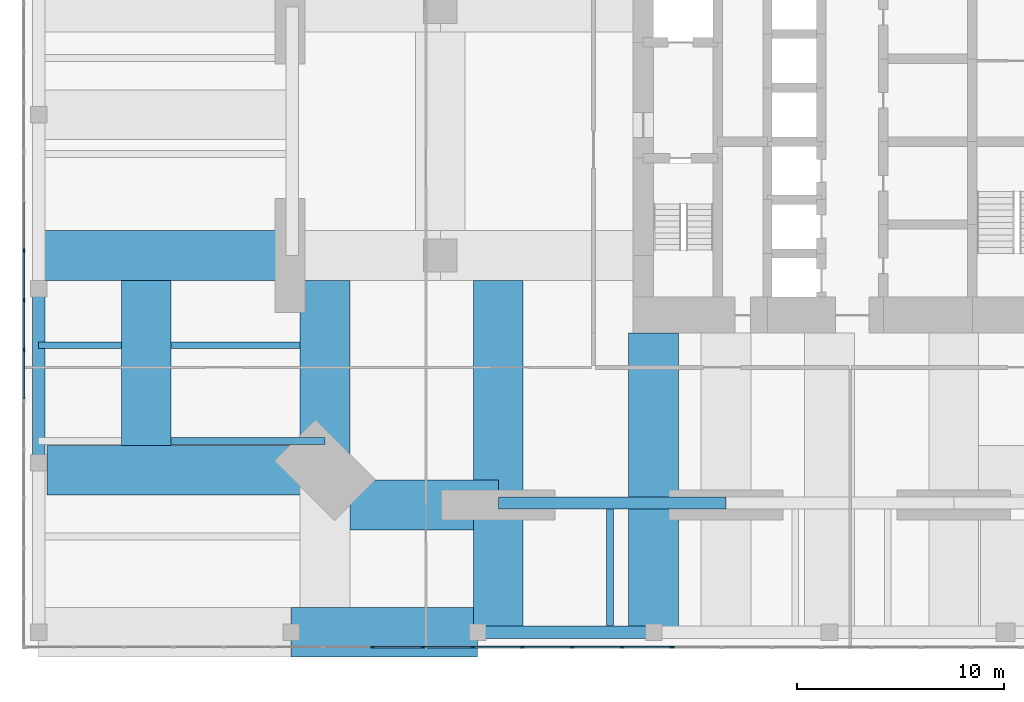
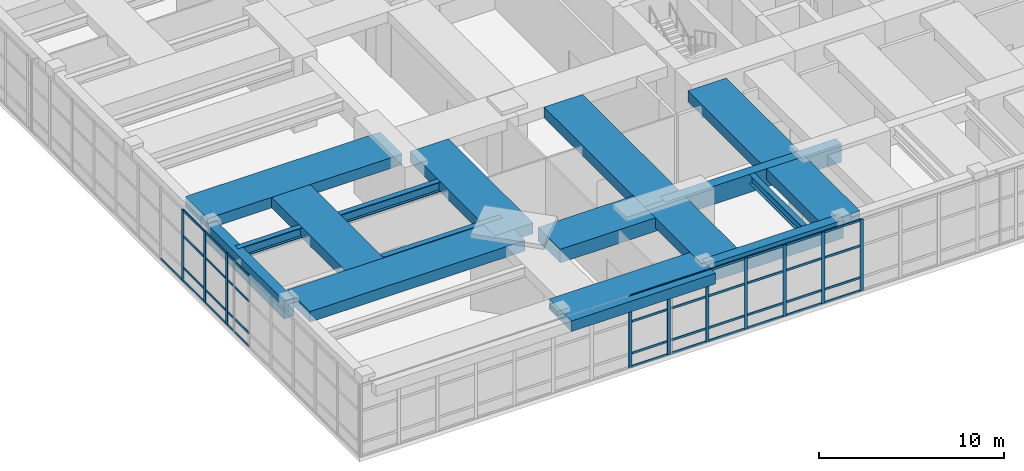
# One storey, part 3 of 24: 47 members, 17 beams, 2 elements without a shape of their own.
"""IFC4 building model written with IfcOpenShell, lengths in metres."""

from ifc_helpers import new_model, si_unit, direction, frame, origin, origin_2d, place, context, subcontext, project, spatial, rectangle, i_section, extrude, material, material_profile, profile_set, type_object, element, aggregate, save


model = new_model("IFC4")

# Units and contexts
model_context = context("Model", 3, precision=1e-05, world=origin(), true_north=direction((0.0, 1.0)))
body_context = subcontext(model_context, "Body", "Model", "MODEL_VIEW")
ifc_project = project(units=[si_unit("LENGTHUNIT", "METRE"), si_unit("AREAUNIT", "SQUARE_METRE"), si_unit("VOLUMEUNIT", "CUBIC_METRE"), si_unit("PLANEANGLEUNIT", "RADIAN"), si_unit("MASSUNIT", "GRAM", prefix="KILO")], contexts=[model_context])

# Site, building, storey
site_placement = place(None, origin())
site = spatial("IfcSite", under=ifc_project, at=site_placement, CompositionType="ELEMENT")
building_placement = place(site_placement, origin())
building = spatial("IfcBuilding", under=site, at=building_placement, Name="Jalousie Tower", CompositionType="ELEMENT")
storey_placement = place(building_placement, frame((0.0, 0.0, 11.0)))
storey = spatial("IfcBuildingStorey", under=building, at=storey_placement, Name="L02", CompositionType="ELEMENT", Elevation=11.0)

# Beams
ifc_material_1 = material(Name="Steel ASTM A992 Grade 50", Category="steel")
ifc_material_profile_1 = material_profile(ifc_material_1, i_section(OverallWidth=0.3251953125, OverallDepth=0.612060546875, WebThickness=0.0126953125, FlangeThickness=0.01904296875, at=origin_2d()), Name="W24X104")
ifc_profile_set_1 = profile_set([ifc_material_profile_1], Name="Steel ASTM A992 Grade 50")
beam_type_1 = type_object("IfcBeamType", Name="PLANT FLOOR BEAM W24X104", PredefinedType="BEAM", material=ifc_profile_set_1)
beam_1_placement = place(storey_placement, frame((18.39990234375, -4.89990234375, 4.413818359375), z_axis=(0.0, 1.0, 0.0), x_axis=(-1.0, 0.0, 0.0)))
element("IfcBeam", 1, at=beam_1_placement, inside=storey, type_object=beam_type_1, Name="Plant floor beam under Electrical plant room L03", PredefinedType="BEAM", context=body_context, shape_type="SweptSolid", body=[
    extrude(i_section(OverallWidth=0.3251953125, OverallDepth=0.612060546875, WebThickness=0.0126953125, FlangeThickness=0.01904296875, at=origin_2d()), origin(), (0.0, 0.0, 1.0), 5.64990234375),
])
ifc_material_2 = material(Name="Steel ASTM A992 Grade 50", Category="steel")
ifc_material_profile_2 = material_profile(ifc_material_2, i_section(OverallWidth=0.332763671875, OverallDepth=0.660400390625, WebThickness=0.0244140625, FlangeThickness=0.0439453125, at=origin_2d()), Name="W24X229")
ifc_profile_set_2 = profile_set([ifc_material_profile_2], Name="Steel ASTM A992 Grade 50")
beam_type_2 = type_object("IfcBeamType", Name="PLANT FLOOR BEAM W24X229", PredefinedType="BEAM", material=ifc_profile_set_2)
beam_2_placement = place(storey_placement, frame((-2.800048828125, 4.04443359375, 4.389892578125), z_axis=(1.0, 0.0, 0.0), x_axis=(0.0, 1.0, 0.0)))
element("IfcBeam", 2, at=beam_2_placement, inside=storey, type_object=beam_type_2, Name="Plant floor beam under Mechanical plant room L03", PredefinedType="BEAM", context=body_context, shape_type="SweptSolid", body=[
    extrude(i_section(OverallWidth=0.332763671875, OverallDepth=0.660400390625, WebThickness=0.0244140625, FlangeThickness=0.0439453125, at=origin_2d()), origin(), (0.0, 0.0, 1.0), 7.431396484375),
])
beam_3_placement = place(storey_placement, frame((-9.199951171875, 8.666748046875, 4.389892578125), z_axis=(1.0, 0.0, 0.0), x_axis=(0.0, 1.0, 0.0)))
element("IfcBeam", 3, at=beam_3_placement, inside=storey, type_object=beam_type_2, Name="Plant floor beam under Mechanical plant room L03", PredefinedType="BEAM", context=body_context, shape_type="SweptSolid", body=[
    extrude(i_section(OverallWidth=0.332763671875, OverallDepth=0.660400390625, WebThickness=0.0244140625, FlangeThickness=0.0439453125, at=origin_2d()), origin(), (0.0, 0.0, 1.0), 4.0),
])
beam_4_placement = place(storey_placement, frame((-2.800048828125, 8.666748046875, 4.389892578125), z_axis=(1.0, 0.0, 0.0), x_axis=(0.0, 1.0, 0.0)))
element("IfcBeam", 4, at=beam_4_placement, inside=storey, type_object=beam_type_2, Name="Plant floor beam under Mechanical plant room L03", PredefinedType="BEAM", context=body_context, shape_type="SweptSolid", body=[
    extrude(i_section(OverallWidth=0.332763671875, OverallDepth=0.660400390625, WebThickness=0.0244140625, FlangeThickness=0.0439453125, at=origin_2d()), origin(), (0.0, 0.0, 1.0), 6.2314453125),
])

# Curtain wall, members
ifc_material_3 = material(Name="Aluminium curtain wall", Category="aluminium")
curtain_wall_type = type_object("IfcCurtainWallType", Name="PODIUM WINDOW WALL", PredefinedType="USERDEFINED", material=ifc_material_3)
curtain_wall_1_placement = place(storey_placement, origin())
curtain_wall_1 = element("IfcCurtainWall", 5, at=curtain_wall_1_placement, inside=storey, type_object=curtain_wall_type, Name="Podium Window Wall L02 1", ObjectType="PODIUM WINDOW WALL", PredefinedType="USERDEFINED")
ifc_material_4 = material(Name="Aluminium mullion", Category="aluminium")
ifc_material_profile_3 = material_profile(ifc_material_4, rectangle(XDim=0.070068359375, YDim=0.199951171875, at=origin_2d()), Name="MULLION 70x200")
ifc_profile_set_3 = profile_set([ifc_material_profile_3], Name="Aluminium mullion")
member_type_1 = type_object("IfcMemberType", Name="PODIUM WINDOW WALL MULLION", PredefinedType="MULLION", material=ifc_profile_set_3)
member_1_placement = place(storey_placement, frame((6.94189453125, -5.91259765625, 0.0), z_axis=(0.0, 0.0, 1.0), x_axis=(0.0, 1.0, 0.0)))
member_1 = element("IfcMember", 6, at=member_1_placement, type_object=member_type_1, Name="CW-P mullion 8", PredefinedType="MULLION", context=body_context, shape_type="SweptSolid", body=[
    extrude(rectangle(XDim=0.070068359375, YDim=0.199951171875, at=origin_2d()), origin(), (0.0, 0.0, 1.0), 4.719970703125),
])
member_2_placement = place(storey_placement, frame((9.349609375, -5.91259765625, 0.0), z_axis=(0.0, 0.0, 1.0), x_axis=(0.0, 1.0, 0.0)))
member_2 = element("IfcMember", 7, at=member_2_placement, type_object=member_type_1, Name="CW-P mullion 9", PredefinedType="MULLION", context=body_context, shape_type="SweptSolid", body=[
    extrude(rectangle(XDim=0.070068359375, YDim=0.199951171875, at=origin_2d()), origin(), (0.0, 0.0, 1.0), 4.719970703125),
])
member_3_placement = place(storey_placement, frame((11.75732421875, -5.91259765625, 0.0), z_axis=(0.0, 0.0, 1.0), x_axis=(0.0, 1.0, 0.0)))
member_3 = element("IfcMember", 8, at=member_3_placement, type_object=member_type_1, Name="CW-P mullion 10", PredefinedType="MULLION", context=body_context, shape_type="SweptSolid", body=[
    extrude(rectangle(XDim=0.070068359375, YDim=0.199951171875, at=origin_2d()), origin(), (0.0, 0.0, 1.0), 4.719970703125),
])
member_4_placement = place(storey_placement, frame((14.1650390625, -5.91259765625, 0.0), z_axis=(0.0, 0.0, 1.0), x_axis=(0.0, 1.0, 0.0)))
member_4 = element("IfcMember", 9, at=member_4_placement, type_object=member_type_1, Name="CW-P mullion 11", PredefinedType="MULLION", context=body_context, shape_type="SweptSolid", body=[
    extrude(rectangle(XDim=0.070068359375, YDim=0.199951171875, at=origin_2d()), origin(), (0.0, 0.0, 1.0), 4.719970703125),
])
member_5_placement = place(storey_placement, frame((16.57275390625, -5.91259765625, 0.0), z_axis=(0.0, 0.0, 1.0), x_axis=(0.0, 1.0, 0.0)))
member_5 = element("IfcMember", 10, at=member_5_placement, type_object=member_type_1, Name="CW-P mullion 12", PredefinedType="MULLION", context=body_context, shape_type="SweptSolid", body=[
    extrude(rectangle(XDim=0.070068359375, YDim=0.199951171875, at=origin_2d()), origin(), (0.0, 0.0, 1.0), 4.719970703125),
])
member_6_placement = place(storey_placement, frame((18.980712890625, -5.91259765625, 0.0), z_axis=(0.0, 0.0, 1.0), x_axis=(0.0, 1.0, 0.0)))
member_6 = element("IfcMember", 11, at=member_6_placement, type_object=member_type_1, Name="CW-P mullion 13", PredefinedType="MULLION", context=body_context, shape_type="SweptSolid", body=[
    extrude(rectangle(XDim=0.070068359375, YDim=0.199951171875, at=origin_2d()), origin(), (0.0, 0.0, 1.0), 4.719970703125),
])
member_7_placement = place(storey_placement, frame((21.388427734375, -5.91259765625, 0.0), z_axis=(0.0, 0.0, 1.0), x_axis=(0.0, 1.0, 0.0)))
member_7 = element("IfcMember", 12, at=member_7_placement, type_object=member_type_1, Name="CW-P mullion 14", PredefinedType="MULLION", context=body_context, shape_type="SweptSolid", body=[
    extrude(rectangle(XDim=0.070068359375, YDim=0.199951171875, at=origin_2d()), origin(), (0.0, 0.0, 1.0), 4.719970703125),
])

curtain_wall_2_placement = place(storey_placement, origin())
curtain_wall_2 = element("IfcCurtainWall", 13, at=curtain_wall_2_placement, inside=storey, type_object=curtain_wall_type, Name="Podium Window Wall L02 33", ObjectType="PODIUM WINDOW WALL", PredefinedType="USERDEFINED")
member_8_placement = place(storey_placement, frame((-9.91259765625, 13.226318359375, 0.0), z_axis=(0.0, 0.0, 1.0), x_axis=(1.0, 0.0, 0.0)))
member_8 = element("IfcMember", 14, at=member_8_placement, type_object=member_type_1, Name="CW-P mullion 11", PredefinedType="MULLION", context=body_context, shape_type="SweptSolid", body=[
    extrude(rectangle(XDim=0.070068359375, YDim=0.199951171875, at=origin_2d()), origin(), (0.0, 0.0, 1.0), 4.719970703125),
])
member_9_placement = place(storey_placement, frame((-9.91259765625, 10.833984375, 0.0), z_axis=(0.0, 0.0, 1.0), x_axis=(1.0, 0.0, 0.0)))
member_9 = element("IfcMember", 15, at=member_9_placement, type_object=member_type_1, Name="CW-P mullion 12", PredefinedType="MULLION", context=body_context, shape_type="SweptSolid", body=[
    extrude(rectangle(XDim=0.070068359375, YDim=0.199951171875, at=origin_2d()), origin(), (0.0, 0.0, 1.0), 4.719970703125),
])
member_10_placement = place(storey_placement, frame((-9.91259765625, 8.441650390625, 0.0), z_axis=(0.0, 0.0, 1.0), x_axis=(1.0, 0.0, 0.0)))
member_10 = element("IfcMember", 16, at=member_10_placement, type_object=member_type_1, Name="CW-P mullion 13", PredefinedType="MULLION", context=body_context, shape_type="SweptSolid", body=[
    extrude(rectangle(XDim=0.070068359375, YDim=0.199951171875, at=origin_2d()), origin(), (0.0, 0.0, 1.0), 4.719970703125),
])

# Member
ifc_material_5 = material(Name="Aluminium transom", Category="aluminium")
ifc_material_profile_4 = material_profile(ifc_material_5, rectangle(XDim=0.070068359375, YDim=0.139892578125, at=origin_2d()), Name="TRANSOM 70x140")
ifc_profile_set_4 = profile_set([ifc_material_profile_4], Name="Aluminium transom")
member_type_2 = type_object("IfcMemberType", Name="PODIUM WINDOW WALL TRANSOM", PredefinedType="USERDEFINED", material=ifc_profile_set_4)
member_11_placement = place(storey_placement, frame((6.976806640625, -5.91259765625, 0.034912109375), z_axis=(1.0, 0.0, 0.0), x_axis=(0.0, 1.0, 0.0)))
member_11 = element("IfcMember", 17, at=member_11_placement, type_object=member_type_2, Name="CW-P transom 8.1", ObjectType="TRANSOM", PredefinedType="USERDEFINED", context=body_context, shape_type="SweptSolid", body=[
    extrude(rectangle(XDim=0.070068359375, YDim=0.139892578125, at=origin_2d()), origin(), (0.0, 0.0, 1.0), 2.337646484375),
])

member_12_placement = place(storey_placement, frame((6.976806640625, -5.91259765625, 0.89990234375), z_axis=(1.0, 0.0, 0.0), x_axis=(0.0, 1.0, 0.0)))
member_12 = element("IfcMember", 18, at=member_12_placement, type_object=member_type_2, Name="CW-P transom 8.2", ObjectType="TRANSOM", PredefinedType="USERDEFINED", context=body_context, shape_type="SweptSolid", body=[
    extrude(rectangle(XDim=0.070068359375, YDim=0.139892578125, at=origin_2d()), origin(), (0.0, 0.0, 1.0), 2.337646484375),
])

member_13_placement = place(storey_placement, frame((6.976806640625, -5.91259765625, 3.0), z_axis=(1.0, 0.0, 0.0), x_axis=(0.0, 1.0, 0.0)))
member_13 = element("IfcMember", 19, at=member_13_placement, type_object=member_type_2, Name="CW-P transom 8.3", ObjectType="TRANSOM", PredefinedType="USERDEFINED", context=body_context, shape_type="SweptSolid", body=[
    extrude(rectangle(XDim=0.070068359375, YDim=0.139892578125, at=origin_2d()), origin(), (0.0, 0.0, 1.0), 2.337646484375),
])

member_14_placement = place(storey_placement, frame((6.976806640625, -5.91259765625, 4.68505859375), z_axis=(1.0, 0.0, 0.0), x_axis=(0.0, 1.0, 0.0)))
member_14 = element("IfcMember", 20, at=member_14_placement, type_object=member_type_2, Name="CW-P transom 8.4", ObjectType="TRANSOM", PredefinedType="USERDEFINED", context=body_context, shape_type="SweptSolid", body=[
    extrude(rectangle(XDim=0.070068359375, YDim=0.139892578125, at=origin_2d()), origin(), (0.0, 0.0, 1.0), 2.337646484375),
])

member_15_placement = place(storey_placement, frame((9.384521484375, -5.91259765625, 0.034912109375), z_axis=(1.0, 0.0, 0.0), x_axis=(0.0, 1.0, 0.0)))
member_15 = element("IfcMember", 21, at=member_15_placement, type_object=member_type_2, Name="CW-P transom 9.1", ObjectType="TRANSOM", PredefinedType="USERDEFINED", context=body_context, shape_type="SweptSolid", body=[
    extrude(rectangle(XDim=0.070068359375, YDim=0.139892578125, at=origin_2d()), origin(), (0.0, 0.0, 1.0), 2.337890625),
])

member_16_placement = place(storey_placement, frame((9.384521484375, -5.91259765625, 0.89990234375), z_axis=(1.0, 0.0, 0.0), x_axis=(0.0, 1.0, 0.0)))
member_16 = element("IfcMember", 22, at=member_16_placement, type_object=member_type_2, Name="CW-P transom 9.2", ObjectType="TRANSOM", PredefinedType="USERDEFINED", context=body_context, shape_type="SweptSolid", body=[
    extrude(rectangle(XDim=0.070068359375, YDim=0.139892578125, at=origin_2d()), origin(), (0.0, 0.0, 1.0), 2.337890625),
])

member_17_placement = place(storey_placement, frame((9.384521484375, -5.91259765625, 3.0), z_axis=(1.0, 0.0, 0.0), x_axis=(0.0, 1.0, 0.0)))
member_17 = element("IfcMember", 23, at=member_17_placement, type_object=member_type_2, Name="CW-P transom 9.3", ObjectType="TRANSOM", PredefinedType="USERDEFINED", context=body_context, shape_type="SweptSolid", body=[
    extrude(rectangle(XDim=0.070068359375, YDim=0.139892578125, at=origin_2d()), origin(), (0.0, 0.0, 1.0), 2.337890625),
])

member_18_placement = place(storey_placement, frame((9.384521484375, -5.91259765625, 4.68505859375), z_axis=(1.0, 0.0, 0.0), x_axis=(0.0, 1.0, 0.0)))
member_18 = element("IfcMember", 24, at=member_18_placement, type_object=member_type_2, Name="CW-P transom 9.4", ObjectType="TRANSOM", PredefinedType="USERDEFINED", context=body_context, shape_type="SweptSolid", body=[
    extrude(rectangle(XDim=0.070068359375, YDim=0.139892578125, at=origin_2d()), origin(), (0.0, 0.0, 1.0), 2.337890625),
])

member_19_placement = place(storey_placement, frame((11.792236328125, -5.91259765625, 0.034912109375), z_axis=(1.0, 0.0, 0.0), x_axis=(0.0, 1.0, 0.0)))
member_19 = element("IfcMember", 25, at=member_19_placement, type_object=member_type_2, Name="CW-P transom 10.1", ObjectType="TRANSOM", PredefinedType="USERDEFINED", context=body_context, shape_type="SweptSolid", body=[
    extrude(rectangle(XDim=0.070068359375, YDim=0.139892578125, at=origin_2d()), origin(), (0.0, 0.0, 1.0), 2.337890625),
])

member_20_placement = place(storey_placement, frame((11.792236328125, -5.91259765625, 0.89990234375), z_axis=(1.0, 0.0, 0.0), x_axis=(0.0, 1.0, 0.0)))
member_20 = element("IfcMember", 26, at=member_20_placement, type_object=member_type_2, Name="CW-P transom 10.2", ObjectType="TRANSOM", PredefinedType="USERDEFINED", context=body_context, shape_type="SweptSolid", body=[
    extrude(rectangle(XDim=0.070068359375, YDim=0.139892578125, at=origin_2d()), origin(), (0.0, 0.0, 1.0), 2.337890625),
])

member_21_placement = place(storey_placement, frame((11.792236328125, -5.91259765625, 3.0), z_axis=(1.0, 0.0, 0.0), x_axis=(0.0, 1.0, 0.0)))
member_21 = element("IfcMember", 27, at=member_21_placement, type_object=member_type_2, Name="CW-P transom 10.3", ObjectType="TRANSOM", PredefinedType="USERDEFINED", context=body_context, shape_type="SweptSolid", body=[
    extrude(rectangle(XDim=0.070068359375, YDim=0.139892578125, at=origin_2d()), origin(), (0.0, 0.0, 1.0), 2.337890625),
])

member_22_placement = place(storey_placement, frame((11.792236328125, -5.91259765625, 4.68505859375), z_axis=(1.0, 0.0, 0.0), x_axis=(0.0, 1.0, 0.0)))
member_22 = element("IfcMember", 28, at=member_22_placement, type_object=member_type_2, Name="CW-P transom 10.4", ObjectType="TRANSOM", PredefinedType="USERDEFINED", context=body_context, shape_type="SweptSolid", body=[
    extrude(rectangle(XDim=0.070068359375, YDim=0.139892578125, at=origin_2d()), origin(), (0.0, 0.0, 1.0), 2.337890625),
])

member_23_placement = place(storey_placement, frame((14.2001953125, -5.91259765625, 0.034912109375), z_axis=(1.0, 0.0, 0.0), x_axis=(0.0, 1.0, 0.0)))
member_23 = element("IfcMember", 29, at=member_23_placement, type_object=member_type_2, Name="CW-P transom 11.1", ObjectType="TRANSOM", PredefinedType="USERDEFINED", context=body_context, shape_type="SweptSolid", body=[
    extrude(rectangle(XDim=0.070068359375, YDim=0.139892578125, at=origin_2d()), origin(), (0.0, 0.0, 1.0), 2.337646484375),
])

member_24_placement = place(storey_placement, frame((14.2001953125, -5.91259765625, 0.89990234375), z_axis=(1.0, 0.0, 0.0), x_axis=(0.0, 1.0, 0.0)))
member_24 = element("IfcMember", 30, at=member_24_placement, type_object=member_type_2, Name="CW-P transom 11.2", ObjectType="TRANSOM", PredefinedType="USERDEFINED", context=body_context, shape_type="SweptSolid", body=[
    extrude(rectangle(XDim=0.070068359375, YDim=0.139892578125, at=origin_2d()), origin(), (0.0, 0.0, 1.0), 2.337646484375),
])

member_25_placement = place(storey_placement, frame((14.2001953125, -5.91259765625, 3.0), z_axis=(1.0, 0.0, 0.0), x_axis=(0.0, 1.0, 0.0)))
member_25 = element("IfcMember", 31, at=member_25_placement, type_object=member_type_2, Name="CW-P transom 11.3", ObjectType="TRANSOM", PredefinedType="USERDEFINED", context=body_context, shape_type="SweptSolid", body=[
    extrude(rectangle(XDim=0.070068359375, YDim=0.139892578125, at=origin_2d()), origin(), (0.0, 0.0, 1.0), 2.337646484375),
])

member_26_placement = place(storey_placement, frame((14.2001953125, -5.91259765625, 4.68505859375), z_axis=(1.0, 0.0, 0.0), x_axis=(0.0, 1.0, 0.0)))
member_26 = element("IfcMember", 32, at=member_26_placement, type_object=member_type_2, Name="CW-P transom 11.4", ObjectType="TRANSOM", PredefinedType="USERDEFINED", context=body_context, shape_type="SweptSolid", body=[
    extrude(rectangle(XDim=0.070068359375, YDim=0.139892578125, at=origin_2d()), origin(), (0.0, 0.0, 1.0), 2.337646484375),
])

member_27_placement = place(storey_placement, frame((16.60791015625, -5.91259765625, 0.034912109375), z_axis=(1.0, 0.0, 0.0), x_axis=(0.0, 1.0, 0.0)))
member_27 = element("IfcMember", 33, at=member_27_placement, type_object=member_type_2, Name="CW-P transom 12.1", ObjectType="TRANSOM", PredefinedType="USERDEFINED", context=body_context, shape_type="SweptSolid", body=[
    extrude(rectangle(XDim=0.070068359375, YDim=0.139892578125, at=origin_2d()), origin(), (0.0, 0.0, 1.0), 2.337646484375),
])

member_28_placement = place(storey_placement, frame((16.60791015625, -5.91259765625, 0.89990234375), z_axis=(1.0, 0.0, 0.0), x_axis=(0.0, 1.0, 0.0)))
member_28 = element("IfcMember", 34, at=member_28_placement, type_object=member_type_2, Name="CW-P transom 12.2", ObjectType="TRANSOM", PredefinedType="USERDEFINED", context=body_context, shape_type="SweptSolid", body=[
    extrude(rectangle(XDim=0.070068359375, YDim=0.139892578125, at=origin_2d()), origin(), (0.0, 0.0, 1.0), 2.337646484375),
])

member_29_placement = place(storey_placement, frame((16.60791015625, -5.91259765625, 3.0), z_axis=(1.0, 0.0, 0.0), x_axis=(0.0, 1.0, 0.0)))
member_29 = element("IfcMember", 35, at=member_29_placement, type_object=member_type_2, Name="CW-P transom 12.3", ObjectType="TRANSOM", PredefinedType="USERDEFINED", context=body_context, shape_type="SweptSolid", body=[
    extrude(rectangle(XDim=0.070068359375, YDim=0.139892578125, at=origin_2d()), origin(), (0.0, 0.0, 1.0), 2.337646484375),
])

member_30_placement = place(storey_placement, frame((16.60791015625, -5.91259765625, 4.68505859375), z_axis=(1.0, 0.0, 0.0), x_axis=(0.0, 1.0, 0.0)))
member_30 = element("IfcMember", 36, at=member_30_placement, type_object=member_type_2, Name="CW-P transom 12.4", ObjectType="TRANSOM", PredefinedType="USERDEFINED", context=body_context, shape_type="SweptSolid", body=[
    extrude(rectangle(XDim=0.070068359375, YDim=0.139892578125, at=origin_2d()), origin(), (0.0, 0.0, 1.0), 2.337646484375),
])

member_31_placement = place(storey_placement, frame((19.015625, -5.91259765625, 0.034912109375), z_axis=(1.0, 0.0, 0.0), x_axis=(0.0, 1.0, 0.0)))
member_31 = element("IfcMember", 37, at=member_31_placement, type_object=member_type_2, Name="CW-P transom 13.1", ObjectType="TRANSOM", PredefinedType="USERDEFINED", context=body_context, shape_type="SweptSolid", body=[
    extrude(rectangle(XDim=0.070068359375, YDim=0.139892578125, at=origin_2d()), origin(), (0.0, 0.0, 1.0), 2.337646484375),
])

member_32_placement = place(storey_placement, frame((19.015625, -5.91259765625, 0.89990234375), z_axis=(1.0, 0.0, 0.0), x_axis=(0.0, 1.0, 0.0)))
member_32 = element("IfcMember", 38, at=member_32_placement, type_object=member_type_2, Name="CW-P transom 13.2", ObjectType="TRANSOM", PredefinedType="USERDEFINED", context=body_context, shape_type="SweptSolid", body=[
    extrude(rectangle(XDim=0.070068359375, YDim=0.139892578125, at=origin_2d()), origin(), (0.0, 0.0, 1.0), 2.337646484375),
])

member_33_placement = place(storey_placement, frame((19.015625, -5.91259765625, 3.0), z_axis=(1.0, 0.0, 0.0), x_axis=(0.0, 1.0, 0.0)))
member_33 = element("IfcMember", 39, at=member_33_placement, type_object=member_type_2, Name="CW-P transom 13.3", ObjectType="TRANSOM", PredefinedType="USERDEFINED", context=body_context, shape_type="SweptSolid", body=[
    extrude(rectangle(XDim=0.070068359375, YDim=0.139892578125, at=origin_2d()), origin(), (0.0, 0.0, 1.0), 2.337646484375),
])

member_34_placement = place(storey_placement, frame((19.015625, -5.91259765625, 4.68505859375), z_axis=(1.0, 0.0, 0.0), x_axis=(0.0, 1.0, 0.0)))
member_34 = element("IfcMember", 40, at=member_34_placement, type_object=member_type_2, Name="CW-P transom 13.4", ObjectType="TRANSOM", PredefinedType="USERDEFINED", context=body_context, shape_type="SweptSolid", body=[
    extrude(rectangle(XDim=0.070068359375, YDim=0.139892578125, at=origin_2d()), origin(), (0.0, 0.0, 1.0), 2.337646484375),
])

aggregate(curtain_wall_1, [member_1, member_2, member_3, member_4, member_5, member_6, member_7, member_11, member_12, member_13, member_14, member_15, member_16, member_17, member_18, member_19, member_20, member_21, member_22, member_23, member_24, member_25, member_26, member_27, member_28, member_29, member_30, member_31, member_32, member_33, member_34])

member_35_placement = place(storey_placement, frame((-9.91259765625, 15.583740234375, 0.034912109375), z_axis=(0.0, -1.0, 0.0), x_axis=(1.0, 0.0, 0.0)))
member_35 = element("IfcMember", 41, at=member_35_placement, type_object=member_type_2, Name="CW-P transom 10.1", ObjectType="TRANSOM", PredefinedType="USERDEFINED", context=body_context, shape_type="SweptSolid", body=[
    extrude(rectangle(XDim=0.070068359375, YDim=0.139892578125, at=origin_2d()), origin(), (0.0, 0.0, 1.0), 2.322265625),
])

member_36_placement = place(storey_placement, frame((-9.91259765625, 13.19140625, 0.034912109375), z_axis=(0.0, -1.0, 0.0), x_axis=(1.0, 0.0, 0.0)))
member_36 = element("IfcMember", 42, at=member_36_placement, type_object=member_type_2, Name="CW-P transom 11.1", ObjectType="TRANSOM", PredefinedType="USERDEFINED", context=body_context, shape_type="SweptSolid", body=[
    extrude(rectangle(XDim=0.070068359375, YDim=0.139892578125, at=origin_2d()), origin(), (0.0, 0.0, 1.0), 2.322265625),
])

member_37_placement = place(storey_placement, frame((-9.91259765625, 13.19140625, 0.89990234375), z_axis=(0.0, -1.0, 0.0), x_axis=(1.0, 0.0, 0.0)))
member_37 = element("IfcMember", 43, at=member_37_placement, type_object=member_type_2, Name="CW-P transom 11.2", ObjectType="TRANSOM", PredefinedType="USERDEFINED", context=body_context, shape_type="SweptSolid", body=[
    extrude(rectangle(XDim=0.070068359375, YDim=0.139892578125, at=origin_2d()), origin(), (0.0, 0.0, 1.0), 2.322265625),
])

member_38_placement = place(storey_placement, frame((-9.91259765625, 13.19140625, 3.0), z_axis=(0.0, -1.0, 0.0), x_axis=(1.0, 0.0, 0.0)))
member_38 = element("IfcMember", 44, at=member_38_placement, type_object=member_type_2, Name="CW-P transom 11.3", ObjectType="TRANSOM", PredefinedType="USERDEFINED", context=body_context, shape_type="SweptSolid", body=[
    extrude(rectangle(XDim=0.070068359375, YDim=0.139892578125, at=origin_2d()), origin(), (0.0, 0.0, 1.0), 2.322265625),
])

member_39_placement = place(storey_placement, frame((-9.91259765625, 13.19140625, 4.68505859375), z_axis=(0.0, -1.0, 0.0), x_axis=(1.0, 0.0, 0.0)))
member_39 = element("IfcMember", 45, at=member_39_placement, type_object=member_type_2, Name="CW-P transom 11.4", ObjectType="TRANSOM", PredefinedType="USERDEFINED", context=body_context, shape_type="SweptSolid", body=[
    extrude(rectangle(XDim=0.070068359375, YDim=0.139892578125, at=origin_2d()), origin(), (0.0, 0.0, 1.0), 2.322265625),
])

member_40_placement = place(storey_placement, frame((-9.91259765625, 10.799072265625, 0.034912109375), z_axis=(0.0, -1.0, 0.0), x_axis=(1.0, 0.0, 0.0)))
member_40 = element("IfcMember", 46, at=member_40_placement, type_object=member_type_2, Name="CW-P transom 12.1", ObjectType="TRANSOM", PredefinedType="USERDEFINED", context=body_context, shape_type="SweptSolid", body=[
    extrude(rectangle(XDim=0.070068359375, YDim=0.139892578125, at=origin_2d()), origin(), (0.0, 0.0, 1.0), 2.322509765625),
])

member_41_placement = place(storey_placement, frame((-9.91259765625, 10.799072265625, 0.89990234375), z_axis=(0.0, -1.0, 0.0), x_axis=(1.0, 0.0, 0.0)))
member_41 = element("IfcMember", 47, at=member_41_placement, type_object=member_type_2, Name="CW-P transom 12.2", ObjectType="TRANSOM", PredefinedType="USERDEFINED", context=body_context, shape_type="SweptSolid", body=[
    extrude(rectangle(XDim=0.070068359375, YDim=0.139892578125, at=origin_2d()), origin(), (0.0, 0.0, 1.0), 2.322509765625),
])

member_42_placement = place(storey_placement, frame((-9.91259765625, 10.799072265625, 3.0), z_axis=(0.0, -1.0, 0.0), x_axis=(1.0, 0.0, 0.0)))
member_42 = element("IfcMember", 48, at=member_42_placement, type_object=member_type_2, Name="CW-P transom 12.3", ObjectType="TRANSOM", PredefinedType="USERDEFINED", context=body_context, shape_type="SweptSolid", body=[
    extrude(rectangle(XDim=0.070068359375, YDim=0.139892578125, at=origin_2d()), origin(), (0.0, 0.0, 1.0), 2.322509765625),
])

member_43_placement = place(storey_placement, frame((-9.91259765625, 10.799072265625, 4.68505859375), z_axis=(0.0, -1.0, 0.0), x_axis=(1.0, 0.0, 0.0)))
member_43 = element("IfcMember", 49, at=member_43_placement, type_object=member_type_2, Name="CW-P transom 12.4", ObjectType="TRANSOM", PredefinedType="USERDEFINED", context=body_context, shape_type="SweptSolid", body=[
    extrude(rectangle(XDim=0.070068359375, YDim=0.139892578125, at=origin_2d()), origin(), (0.0, 0.0, 1.0), 2.322509765625),
])

member_44_placement = place(storey_placement, frame((-9.91259765625, 8.40673828125, 0.034912109375), z_axis=(0.0, -1.0, 0.0), x_axis=(1.0, 0.0, 0.0)))
member_44 = element("IfcMember", 50, at=member_44_placement, type_object=member_type_2, Name="CW-P transom 13.1", ObjectType="TRANSOM", PredefinedType="USERDEFINED", context=body_context, shape_type="SweptSolid", body=[
    extrude(rectangle(XDim=0.070068359375, YDim=0.139892578125, at=origin_2d()), origin(), (0.0, 0.0, 1.0), 2.322509765625),
])

member_45_placement = place(storey_placement, frame((-9.91259765625, 8.40673828125, 0.89990234375), z_axis=(0.0, -1.0, 0.0), x_axis=(1.0, 0.0, 0.0)))
member_45 = element("IfcMember", 51, at=member_45_placement, type_object=member_type_2, Name="CW-P transom 13.2", ObjectType="TRANSOM", PredefinedType="USERDEFINED", context=body_context, shape_type="SweptSolid", body=[
    extrude(rectangle(XDim=0.070068359375, YDim=0.139892578125, at=origin_2d()), origin(), (0.0, 0.0, 1.0), 2.322509765625),
])

member_46_placement = place(storey_placement, frame((-9.91259765625, 8.40673828125, 3.0), z_axis=(0.0, -1.0, 0.0), x_axis=(1.0, 0.0, 0.0)))
member_46 = element("IfcMember", 52, at=member_46_placement, type_object=member_type_2, Name="CW-P transom 13.3", ObjectType="TRANSOM", PredefinedType="USERDEFINED", context=body_context, shape_type="SweptSolid", body=[
    extrude(rectangle(XDim=0.070068359375, YDim=0.139892578125, at=origin_2d()), origin(), (0.0, 0.0, 1.0), 2.322509765625),
])

member_47_placement = place(storey_placement, frame((-9.91259765625, 8.40673828125, 4.68505859375), z_axis=(0.0, -1.0, 0.0), x_axis=(1.0, 0.0, 0.0)))
member_47 = element("IfcMember", 53, at=member_47_placement, type_object=member_type_2, Name="CW-P transom 13.4", ObjectType="TRANSOM", PredefinedType="USERDEFINED", context=body_context, shape_type="SweptSolid", body=[
    extrude(rectangle(XDim=0.070068359375, YDim=0.139892578125, at=origin_2d()), origin(), (0.0, 0.0, 1.0), 2.322509765625),
])

aggregate(curtain_wall_2, [member_8, member_9, member_10, member_35, member_36, member_37, member_38, member_39, member_40, member_41, member_42, member_43, member_44, member_45, member_46, member_47])

# Beams
ifc_material_6 = material(Name="Concrete f'c 40 MPa", Category="concrete")
ifc_material_profile_5 = material_profile(ifc_material_6, rectangle(XDim=2.39990234375, YDim=0.699951171875, at=origin_2d()), Name="RC 2400x700")
ifc_profile_set_5 = profile_set([ifc_material_profile_5], Name="Concrete f'c 40 MPa")
beam_type_3 = type_object("IfcBeamType", Name="RC BEAM 2400x700", PredefinedType="BEAM", material=ifc_profile_set_5)
beam_5_placement = place(storey_placement, frame((3.0, -5.199951171875, 4.3701171875), z_axis=(1.0, 0.0, 0.0), x_axis=(0.0, 1.0, 0.0)))
element("IfcBeam", 54, at=beam_5_placement, inside=storey, type_object=beam_type_3, Name="Floor band beam under L03", PredefinedType="BEAM", context=body_context, shape_type="SweptSolid", body=[
    extrude(rectangle(XDim=2.39990234375, YDim=0.699951171875, at=origin_2d()), origin(), (0.0, 0.0, 1.0), 9.0),
])
beam_6_placement = place(storey_placement, frame((20.5, -5.199951171875, 4.3701171875), z_axis=(0.0, 1.0, 0.0), x_axis=(-1.0, 0.0, 0.0)))
element("IfcBeam", 55, at=beam_6_placement, inside=storey, type_object=beam_type_3, Name="Floor band beam under L03", PredefinedType="BEAM", context=body_context, shape_type="SweptSolid", body=[
    extrude(rectangle(XDim=2.39990234375, YDim=0.699951171875, at=origin_2d()), origin(), (0.0, 0.0, 1.0), 5.949951171875),
])
beam_7_placement = place(storey_placement, frame((20.5, 1.35009765625, 4.3701171875), z_axis=(0.0, 1.0, 0.0), x_axis=(-1.0, 0.0, 0.0)))
element("IfcBeam", 56, at=beam_7_placement, inside=storey, type_object=beam_type_3, Name="Floor band beam under L03", PredefinedType="BEAM", context=body_context, shape_type="SweptSolid", body=[
    extrude(rectangle(XDim=2.39990234375, YDim=0.699951171875, at=origin_2d()), origin(), (0.0, 0.0, 1.0), 7.89990234375),
])
beam_8_placement = place(storey_placement, frame((2.949951171875, 13.0, 4.3701171875), z_axis=(-1.0, 0.0, 0.0), x_axis=(0.0, -1.0, 0.0)))
element("IfcBeam", 57, at=beam_8_placement, inside=storey, type_object=beam_type_3, Name="Floor band beam under L03", PredefinedType="BEAM", context=body_context, shape_type="SweptSolid", body=[
    extrude(rectangle(XDim=2.39990234375, YDim=0.699951171875, at=origin_2d()), origin(), (0.0, 0.0, 1.0), 12.14990234375),
])
beam_9_placement = place(storey_placement, frame((4.63134765625, 2.63134765625, 4.3701171875), z_axis=(-1.0, 0.0, 0.0), x_axis=(0.0, -1.0, 0.0)))
element("IfcBeam", 58, at=beam_9_placement, inside=storey, type_object=beam_type_3, Name="Floor band beam under L03", PredefinedType="BEAM", context=body_context, shape_type="SweptSolid", body=[
    extrude(rectangle(XDim=2.39990234375, YDim=0.699951171875, at=origin_2d()), origin(), (0.0, 0.0, 1.0), 13.431396484375),
])
beam_10_placement = place(storey_placement, frame((4.63134765625, 2.63134765625, 4.3701171875), z_axis=(0.0, 1.0, 0.0), x_axis=(-1.0, 0.0, 0.0)))
element("IfcBeam", 59, at=beam_10_placement, inside=storey, type_object=beam_type_3, Name="Floor band beam under L03", PredefinedType="BEAM", context=body_context, shape_type="SweptSolid", body=[
    extrude(rectangle(XDim=2.39990234375, YDim=0.699951171875, at=origin_2d()), origin(), (0.0, 0.0, 1.0), 9.168701171875),
])
beam_11_placement = place(storey_placement, frame((13.0, 0.949951171875, 4.3701171875), z_axis=(0.0, 1.0, 0.0), x_axis=(-1.0, 0.0, 0.0)))
element("IfcBeam", 60, at=beam_11_placement, inside=storey, type_object=beam_type_3, Name="Floor band beam under L03", PredefinedType="BEAM", context=body_context, shape_type="SweptSolid", body=[
    extrude(rectangle(XDim=2.39990234375, YDim=0.699951171875, at=origin_2d()), origin(), (0.0, 0.0, 1.0), 10.85009765625),
])
beam_12_placement = place(storey_placement, frame((13.0, 0.949951171875, 4.3701171875), z_axis=(0.0, -1.0, 0.0), x_axis=(1.0, 0.0, 0.0)))
element("IfcBeam", 61, at=beam_12_placement, inside=storey, type_object=beam_type_3, Name="Floor band beam under L03", PredefinedType="BEAM", context=body_context, shape_type="SweptSolid", body=[
    extrude(rectangle(XDim=2.39990234375, YDim=0.699951171875, at=origin_2d()), origin(), (0.0, 0.0, 1.0), 6.14990234375),
])
beam_13_placement = place(storey_placement, frame((-4.0, 3.831298828125, 4.3701171875), z_axis=(0.0, 1.0, 0.0), x_axis=(-1.0, 0.0, 0.0)))
element("IfcBeam", 62, at=beam_13_placement, inside=storey, type_object=beam_type_3, Name="Floor band beam under L03", PredefinedType="BEAM", context=body_context, shape_type="SweptSolid", body=[
    extrude(rectangle(XDim=2.39990234375, YDim=0.699951171875, at=origin_2d()), origin(), (0.0, 0.0, 1.0), 7.96875),
])
ifc_material_7 = material(Name="Concrete f'c 40 MPa", Category="concrete")
ifc_material_profile_6 = material_profile(ifc_material_7, rectangle(XDim=2.39990234375, YDim=0.89990234375, at=origin_2d()), Name="RC 2400x900")
ifc_profile_set_6 = profile_set([ifc_material_profile_6], Name="Concrete f'c 40 MPa")
beam_type_4 = type_object("IfcBeamType", Name="RC BEAM 2400x900", PredefinedType="BEAM", material=ifc_profile_set_6)
beam_14_placement = place(storey_placement, frame((13.0, 0.949951171875, 4.27001953125), z_axis=(-1.0, 0.0, 0.0), x_axis=(0.0, -1.0, 0.0)))
element("IfcBeam", 63, at=beam_14_placement, inside=storey, type_object=beam_type_4, Name="Floor band beam under L03", PredefinedType="BEAM", context=body_context, shape_type="SweptSolid", body=[
    extrude(rectangle(XDim=2.39990234375, YDim=0.89990234375, at=origin_2d()), origin(), (0.0, 0.0, 1.0), 7.15087890625),
])
ifc_material_8 = material(Name="Concrete f'c 40 MPa", Category="concrete")
ifc_material_profile_7 = material_profile(ifc_material_8, rectangle(XDim=0.60009765625, YDim=1.199951171875, at=origin_2d()), Name="RC 600x1200")
ifc_profile_set_7 = profile_set([ifc_material_profile_7], Name="Concrete f'c 40 MPa")
beam_type_5 = type_object("IfcBeamType", Name="RC BEAM 600x1200", PredefinedType="BEAM", material=ifc_profile_set_7)
beam_15_placement = place(storey_placement, frame((-9.199951171875, 3.0, 4.1201171875), z_axis=(0.0, 1.0, 0.0), x_axis=(-1.0, 0.0, 0.0)))
element("IfcBeam", 64, at=beam_15_placement, inside=storey, type_object=beam_type_5, Name="Podium plant girder under L03 line x -9.2", PredefinedType="BEAM", context=body_context, shape_type="SweptSolid", body=[
    extrude(rectangle(XDim=0.60009765625, YDim=1.199951171875, at=origin_2d()), origin(), (0.0, 0.0, 1.0), 8.39990234375),
])
beam_16_placement = place(storey_placement, frame((12.0, -5.199951171875, 4.1201171875), z_axis=(1.0, 0.0, 0.0), x_axis=(0.0, 1.0, 0.0)))
element("IfcBeam", 65, at=beam_16_placement, inside=storey, type_object=beam_type_5, Name="Podium plant girder under L03 line y -5.2", PredefinedType="BEAM", context=body_context, shape_type="SweptSolid", body=[
    extrude(rectangle(XDim=0.60009765625, YDim=1.199951171875, at=origin_2d()), origin(), (0.0, 0.0, 1.0), 8.5),
])
beam_17_placement = place(storey_placement, frame((13.0, 1.050048828125, 4.1201171875), z_axis=(1.0, 0.0, 0.0), x_axis=(0.0, 1.0, 0.0)))
element("IfcBeam", 66, at=beam_17_placement, inside=storey, type_object=beam_type_5, Name="Podium plant girder under L03 line y 1.05", PredefinedType="BEAM", context=body_context, shape_type="SweptSolid", body=[
    extrude(rectangle(XDim=0.60009765625, YDim=1.199951171875, at=origin_2d()), origin(), (0.0, 0.0, 1.0), 11.0),
])

save(model, "model.ifc")
